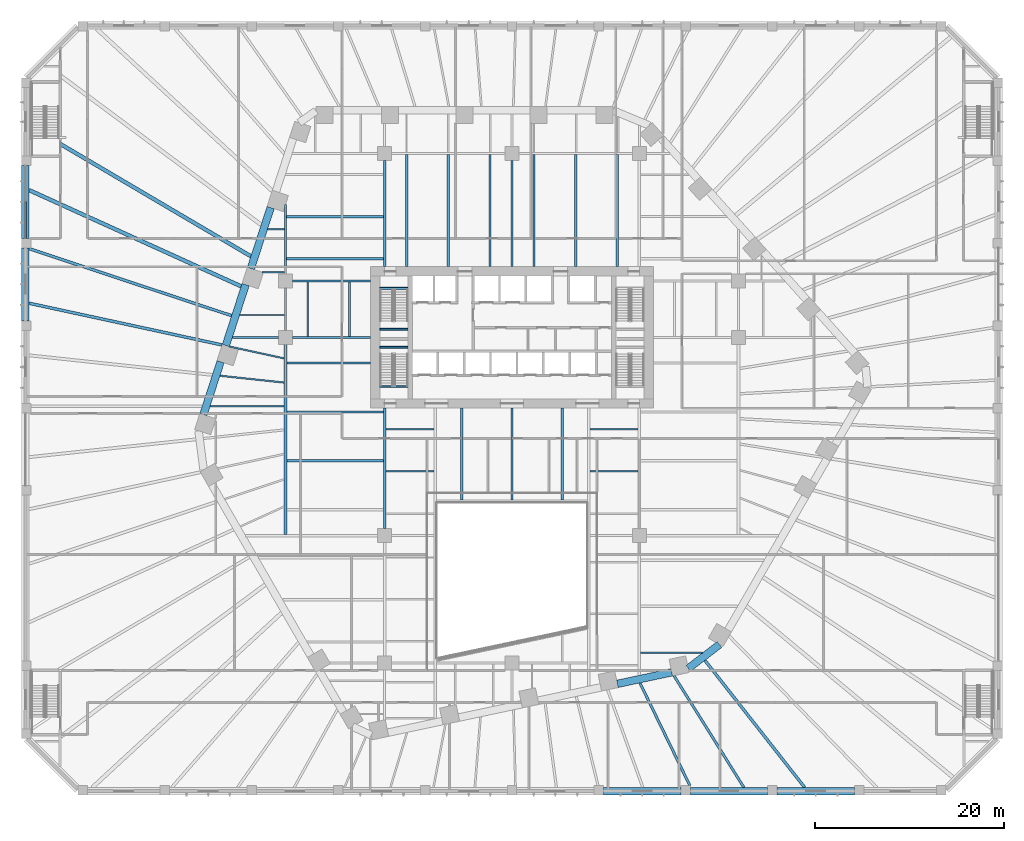
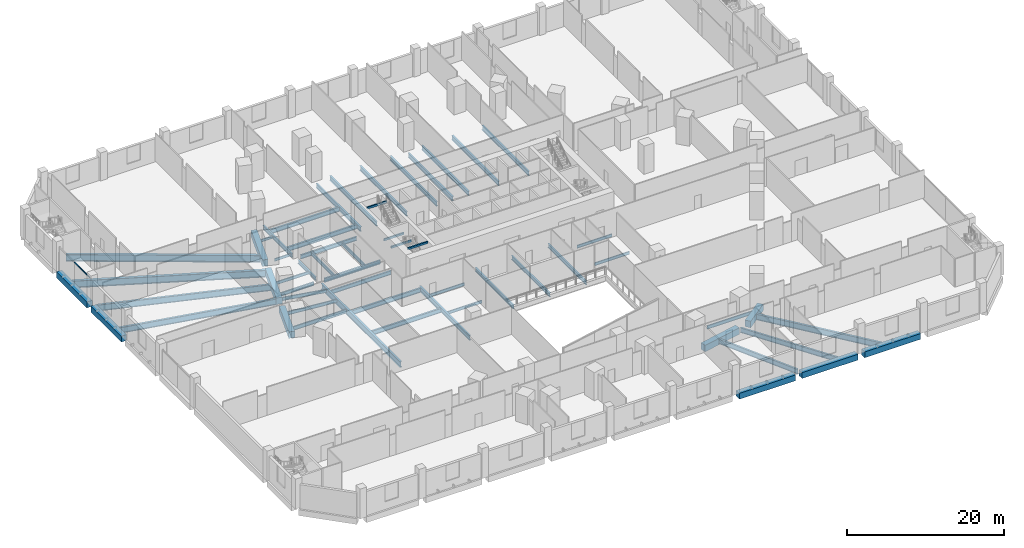
# One storey, part 6 of 33: 57 beams, 1 member, 1 element without a shape of its own.
"""IFC4 building model written with IfcOpenShell, lengths in metres."""

from ifc_helpers import new_model, si_unit, direction, frame, origin, origin_2d, place, context, subcontext, project, spatial, rectangle, i_section, extrude, material, layer, layer_set, material_profile, profile_set, type_object, element, aggregate, save


model = new_model("IFC4")

# Units and contexts
model_context = context("Model", 3, precision=1e-05, world=origin(), true_north=direction((0.0, 1.0)))
body_context = subcontext(model_context, "Body", "Model", "MODEL_VIEW")
ifc_project = project(units=[si_unit("LENGTHUNIT", "METRE"), si_unit("AREAUNIT", "SQUARE_METRE"), si_unit("VOLUMEUNIT", "CUBIC_METRE"), si_unit("PLANEANGLEUNIT", "RADIAN"), si_unit("MASSUNIT", "GRAM", prefix="KILO")], contexts=[model_context])

# Site, building, storey
site_placement = place(None, origin())
site = spatial("IfcSite", under=ifc_project, at=site_placement, CompositionType="ELEMENT")
building_placement = place(site_placement, origin())
building = spatial("IfcBuilding", under=site, at=building_placement, Name="Isthmus Gate Tower", CompositionType="ELEMENT")
storey_placement = place(building_placement, frame((0.0, 0.0, 31.5)))
storey = spatial("IfcBuildingStorey", under=building, at=storey_placement, Name="L05", CompositionType="ELEMENT", Elevation=31.5)

# Curtain wall, member
ifc_material_1 = material(Name="Aluminium, pale champagne anodised", Category="aluminium")
ifc_layer = layer(ifc_material_1, 0.14990234375)
ifc_layer_set = layer_set([ifc_layer], Name="CW-3 STOREFRONT CURTAIN WALL 150 DEEP")
curtain_wall_type = type_object("IfcCurtainWallType", Name="CW-3 STOREFRONT CURTAIN WALL 150 DEEP", PredefinedType="NOTDEFINED", material=ifc_layer_set)
curtain_wall_placement = place(storey_placement, origin())
curtain_wall = element("IfcCurtainWall", 1, at=curtain_wall_placement, inside=storey, type_object=curtain_wall_type, Name="CW-3 W L05", PredefinedType="NOTDEFINED")
ifc_material_2 = material(Name="Aluminium, pale champagne anodised", Category="aluminium")
ifc_material_profile_1 = material_profile(ifc_material_2, rectangle(XDim=0.14990234375, YDim=0.1201171875, at=origin_2d()), Name="150x120")
ifc_profile_set_1 = profile_set([ifc_material_profile_1], Name="Aluminium, pale champagne anodised")
member_type = type_object("IfcMemberType", Name="CW-3 TRANSOM 150 X 120", PredefinedType="USERDEFINED", material=ifc_profile_set_1)
member_placement = place(storey_placement, frame((-51.574951171875, 21.875, 3.389892578125), z_axis=(0.0, -1.0, 0.0), x_axis=(1.0, 0.0, 0.0)))
member = element("IfcMember", 2, at=member_placement, type_object=member_type, Name="CW-3 transom", ObjectType="TRANSOM", PredefinedType="USERDEFINED", context=body_context, shape_type="SweptSolid", body=[
    extrude(rectangle(XDim=0.14990234375, YDim=0.1201171875, at=origin_2d()), origin(), (0.0, 0.0, 1.0), 3.875),
])
aggregate(curtain_wall, [member])

# Beams
ifc_material_3 = material(Name="Concrete f'c 70 MPa", Category="concrete")
ifc_material_profile_2 = material_profile(ifc_material_3, rectangle(XDim=0.800048828125, YDim=0.89990234375, at=origin_2d()), Name="RC 800X900")
ifc_profile_set_2 = profile_set([ifc_material_profile_2], Name="Concrete f'c 70 MPa")
beam_type_1 = type_object("IfcBeamType", Name="RC EDGE BEAM 800 X 900", PredefinedType="BEAM", material=ifc_profile_set_2)
for number, where, z_axis, x_axis, name in (
    (3, (-51.60009765625, 9.25, -0.75), (0.0, 1.0, 0.0), (-1.0, 0.0, 0.0), "str-edgebeam-L05-05"),
    (4, (-51.60009765625, 18.0, -0.75), (0.0, 1.0, 0.0), (-1.0, 0.0, 0.0), "str-edgebeam-L05-06"),
):
    element("IfcBeam", number, at=place(storey_placement, frame(where, z_axis=z_axis, x_axis=x_axis)), inside=storey, type_object=beam_type_1, Name=name, PredefinedType="BEAM", context=body_context, shape_type="SweptSolid", body=[
        extrude(rectangle(XDim=0.800048828125, YDim=0.89990234375, at=origin_2d()), origin(), (0.0, 0.0, 1.0), 7.75),
    ])
beam_1_placement = place(storey_placement, frame((36.300048828125, -40.60009765625, -0.75), z_axis=(-1.0, 0.0, 0.0), x_axis=(0.0, -1.0, 0.0)))
element("IfcBeam", 5, at=beam_1_placement, inside=storey, type_object=beam_type_1, Name="str-edgebeam-L05-29", PredefinedType="BEAM", context=body_context, shape_type="SweptSolid", body=[
    extrude(rectangle(XDim=0.800048828125, YDim=0.89990234375, at=origin_2d()), origin(), (0.0, 0.0, 1.0), 8.199951171875),
])
beam_2_placement = place(storey_placement, frame((27.10009765625, -40.60009765625, -0.75), z_axis=(-1.0, 0.0, 0.0), x_axis=(0.0, -1.0, 0.0)))
element("IfcBeam", 6, at=beam_2_placement, inside=storey, type_object=beam_type_1, Name="str-edgebeam-L05-30", PredefinedType="BEAM", context=body_context, shape_type="SweptSolid", body=[
    extrude(rectangle(XDim=0.800048828125, YDim=0.89990234375, at=origin_2d()), origin(), (0.0, 0.0, 1.0), 8.2001953125),
])
beam_3_placement = place(storey_placement, frame((17.89990234375, -40.60009765625, -0.75), z_axis=(-1.0, 0.0, 0.0), x_axis=(0.0, -1.0, 0.0)))
element("IfcBeam", 7, at=beam_3_placement, inside=storey, type_object=beam_type_1, Name="str-edgebeam-L05-31", PredefinedType="BEAM", context=body_context, shape_type="SweptSolid", body=[
    extrude(rectangle(XDim=0.800048828125, YDim=0.89990234375, at=origin_2d()), origin(), (0.0, 0.0, 1.0), 8.199951171875),
])
ifc_material_4 = material(Name="Concrete f'c 70 MPa", Category="concrete")
ifc_material_profile_3 = material_profile(ifc_material_4, rectangle(XDim=0.800048828125, YDim=1.0, at=origin_2d()), Name="RC 800X1000")
ifc_profile_set_3 = profile_set([ifc_material_profile_3], Name="Concrete f'c 70 MPa")
beam_type_2 = type_object("IfcBeamType", Name="RC TUBE RING BEAM 800 X 1000", PredefinedType="BEAM", material=ifc_profile_set_3)
beam_4_placement = place(storey_placement, frame((21.98681640625, -25.051513671875, -0.800048828125), z_axis=(-0.794205941875, -0.607648682949, 0.0), x_axis=(0.607648682949, -0.794205941875, 0.0)))
element("IfcBeam", 8, at=beam_4_placement, inside=storey, type_object=beam_type_2, Name="str-ringbeam-L05-09", PredefinedType="BEAM", context=body_context, shape_type="SweptSolid", body=[
    extrude(rectangle(XDim=0.800048828125, YDim=1.0, at=origin_2d()), origin(), (0.0, 0.0, 1.0), 4.15234375),
])
for number, where, z_axis, x_axis, name in (
    (9, (16.937255859375, -27.990966796875, -0.800048828125), (-0.97815168619, -0.207892469327, 0.0), (0.207892469327, -0.97815168619, 0.0), "str-ringbeam-L05-10"),
    (10, (-32.70947265625, -0.672607421875, -0.800048828125), (0.309005457803, 0.951060264677, 0.0), (-0.951060264677, 0.309005457803, 0.0), "str-ringbeam-L05-18"),
):
    element("IfcBeam", number, at=place(storey_placement, frame(where, z_axis=z_axis, x_axis=x_axis)), inside=storey, type_object=beam_type_2, Name=name, PredefinedType="BEAM", context=body_context, shape_type="SweptSolid", body=[
        extrude(rectangle(XDim=0.800048828125, YDim=1.0, at=origin_2d()), origin(), (0.0, 0.0, 1.0), 5.889404296875),
    ])
for number, where, z_axis, x_axis, name in (
    (11, (-30.333251953125, 6.640380859375, -0.800048828125), (0.30900150794, 0.951061548004, 0.0), (-0.951061548004, 0.30900150794, 0.0), "str-ringbeam-L05-19"),
    (12, (-27.67919921875, 14.809326171875, -0.800048828125), (0.309034033576, 0.951050979754, 0.0), (-0.951050979754, 0.309034033576, 0.0), "str-ringbeam-L05-20"),
):
    element("IfcBeam", number, at=place(storey_placement, frame(where, z_axis=z_axis, x_axis=x_axis)), inside=storey, type_object=beam_type_2, Name=name, PredefinedType="BEAM", context=body_context, shape_type="SweptSolid", body=[
        extrude(rectangle(XDim=0.800048828125, YDim=1.0, at=origin_2d()), origin(), (0.0, 0.0, 1.0), 6.789306640625),
    ])
ifc_material_5 = material(Name="Concrete f'c 40 MPa", Category="concrete")
ifc_material_profile_4 = material_profile(ifc_material_5, rectangle(XDim=0.199951171875, YDim=0.300048828125, at=origin_2d()), Name="STAIR LANDING BEAM RC 200 X 300")
ifc_profile_set_4 = profile_set([ifc_material_profile_4], Name="Concrete f'c 40 MPa")
beam_type_3 = type_object("IfcBeamType", Name="STAIR LANDING BEAM RC 200 X 300", PredefinedType="BEAM", material=ifc_profile_set_4)
for number, where, z_axis, x_axis, name in (
    (13, (-14.0, 8.3701171875, 1.89990234375), (1.0, 0.0, 0.0), (0.0, 1.0, 0.0), "L05 ST1 landing beam 1"),
    (14, (-14.0, 12.7001953125, 4.199951171875), (1.0, 0.0, 0.0), (0.0, 1.0, 0.0), "L05 ST1 floor-edge seat beam"),
    (15, (-14.0, 6.47998046875, 1.89990234375), (1.0, 0.0, 0.0), (0.0, 1.0, 0.0), "L05 ST7 landing beam 1"),
    (16, (-14.0, 2.2998046875, 4.199951171875), (1.0, 0.0, 0.0), (0.0, 1.0, 0.0), "L05 ST7 floor-edge seat beam"),
):
    element("IfcBeam", number, at=place(storey_placement, frame(where, z_axis=z_axis, x_axis=x_axis)), inside=storey, type_object=beam_type_3, Name=name, PredefinedType="BEAM", context=body_context, shape_type="SweptSolid", body=[
        extrude(rectangle(XDim=0.199951171875, YDim=0.300048828125, at=origin_2d()), origin(), (0.0, 0.0, 1.0), 2.949951171875),
    ])
ifc_material_6 = material(Name="Structural steel ASTM A992 Gr 50", Category="steel")
ifc_material_profile_5 = material_profile(ifc_material_6, i_section(OverallWidth=0.1396484375, OverallDepth=0.4033203125, WebThickness=0.00634765625, FlangeThickness=0.010986328125, at=origin_2d()), Name="W16X31")
ifc_profile_set_5 = profile_set([ifc_material_profile_5], Name="Structural steel ASTM A992 Gr 50")
beam_type_4 = type_object("IfcBeamType", Name="STEEL FLOOR BEAM W16X31", PredefinedType="JOIST", material=ifc_profile_set_5)
beam_5_placement = place(storey_placement, frame((-26.503662109375, 14.427490234375, -0.501708984375), z_axis=(1.0, 0.0, 0.0), x_axis=(0.0, 1.0, 0.0)))
element("IfcBeam", 17, at=beam_5_placement, inside=storey, type_object=beam_type_4, Name="str-beam-L05-05-01", PredefinedType="JOIST", context=body_context, shape_type="SweptSolid", body=[
    extrude(i_section(OverallWidth=0.1396484375, OverallDepth=0.4033203125, WebThickness=0.00634765625, FlangeThickness=0.010986328125, at=origin_2d()), origin(), (0.0, 0.0, 1.0), 2.389404296875),
])
beam_6_placement = place(storey_placement, frame((-25.90478515625, 18.975830078125, -0.501708984375), z_axis=(1.0, 0.0, 0.0), x_axis=(0.0, 1.0, 0.0)))
element("IfcBeam", 18, at=beam_6_placement, inside=storey, type_object=beam_type_4, Name="str-beam-L05-05-02", PredefinedType="JOIST", context=body_context, shape_type="SweptSolid", body=[
    extrude(i_section(OverallWidth=0.1396484375, OverallDepth=0.4033203125, WebThickness=0.00634765625, FlangeThickness=0.010986328125, at=origin_2d()), origin(), (0.0, 0.0, 1.0), 1.79052734375),
])
ifc_material_7 = material(Name="Structural steel ASTM A992 Gr 50", Category="steel")
ifc_material_profile_6 = material_profile(ifc_material_7, i_section(OverallWidth=0.15234375, OverallDepth=0.45068359375, WebThickness=0.0078125, FlangeThickness=0.010986328125, at=origin_2d()), Name="W18X35")
ifc_profile_set_6 = profile_set([ifc_material_profile_6], Name="Structural steel ASTM A992 Gr 50")
beam_type_5 = type_object("IfcBeamType", Name="STEEL FLOOR BEAM W18X35", PredefinedType="JOIST", material=ifc_profile_set_6)
beam_7_placement = place(storey_placement, frame((-28.860595703125, 9.87890625, -0.525390625), z_axis=(1.0, 0.0, 0.0), x_axis=(0.0, 1.0, 0.0)))
element("IfcBeam", 19, at=beam_7_placement, inside=storey, type_object=beam_type_5, Name="str-beam-L05-05-00", PredefinedType="JOIST", context=body_context, shape_type="SweptSolid", body=[
    extrude(i_section(OverallWidth=0.15234375, OverallDepth=0.45068359375, WebThickness=0.0078125, FlangeThickness=0.010986328125, at=origin_2d()), origin(), (0.0, 0.0, 1.0), 4.755859375),
])
for number, where, z_axis, x_axis, name in (
    (20, (-13.3681640625, -6.697509765625, -0.525390625), (1.0, 0.0, 0.0), (0.0, 1.0, 0.0), "str-beam-L05-13-01"),
    (21, (-13.3681640625, -2.232421875, -0.525390625), (1.0, 0.0, 0.0), (0.0, 1.0, 0.0), "str-beam-L05-13-02"),
):
    element("IfcBeam", number, at=place(storey_placement, frame(where, z_axis=z_axis, x_axis=x_axis)), inside=storey, type_object=beam_type_5, Name=name, PredefinedType="JOIST", context=body_context, shape_type="SweptSolid", body=[
        extrude(i_section(OverallWidth=0.15234375, OverallDepth=0.45068359375, WebThickness=0.0078125, FlangeThickness=0.010986328125, at=origin_2d()), origin(), (0.0, 0.0, 1.0), 5.076171875),
    ])
for number, where, z_axis, x_axis, name in (
    (22, (8.263427734375, -6.697509765625, -0.525390625), (1.0, 0.0, 0.0), (0.0, 1.0, 0.0), "str-beam-L05-26-01"),
    (23, (8.263427734375, -2.232421875, -0.525390625), (1.0, 0.0, 0.0), (0.0, 1.0, 0.0), "str-beam-L05-26-02"),
):
    element("IfcBeam", number, at=place(storey_placement, frame(where, z_axis=z_axis, x_axis=x_axis)), inside=storey, type_object=beam_type_5, Name=name, PredefinedType="JOIST", context=body_context, shape_type="SweptSolid", body=[
        extrude(i_section(OverallWidth=0.15234375, OverallDepth=0.45068359375, WebThickness=0.0078125, FlangeThickness=0.010986328125, at=origin_2d()), origin(), (0.0, 0.0, 1.0), 5.104736328125),
    ])
ifc_material_8 = material(Name="Structural steel ASTM A992 Gr 50", Category="steel")
ifc_material_profile_7 = material_profile(ifc_material_8, i_section(OverallWidth=0.1650390625, OverallDepth=0.52392578125, WebThickness=0.009521484375, FlangeThickness=0.010986328125, at=origin_2d()), Name="W21X44")
ifc_profile_set_7 = profile_set([ifc_material_profile_7], Name="Structural steel ASTM A992 Gr 50")
beam_type_6 = type_object("IfcBeamType", Name="STEEL FLOOR BEAM W21X44", PredefinedType="JOIST", material=ifc_profile_set_7)
for number, where, z_axis, x_axis, name in (
    (24, (-21.67138671875, 7.6142578125, -0.56201171875), (0.0, 1.0, 0.0), (-1.0, 0.0, 0.0), "str-beam-L05-06-00"),
    (25, (-17.223876953125, 7.6142578125, -0.56201171875), (0.0, 1.0, 0.0), (-1.0, 0.0, 0.0), "str-beam-L05-06-01"),
):
    element("IfcBeam", number, at=place(storey_placement, frame(where, z_axis=z_axis, x_axis=x_axis)), inside=storey, type_object=beam_type_6, Name=name, PredefinedType="JOIST", context=body_context, shape_type="SweptSolid", body=[
        extrude(i_section(OverallWidth=0.1650390625, OverallDepth=0.52392578125, WebThickness=0.009521484375, FlangeThickness=0.010986328125, at=origin_2d()), origin(), (0.0, 0.0, 1.0), 5.771484375),
    ])
beam_8_placement = place(storey_placement, frame((-24.15234375, 5.281982421875, -0.56201171875), z_axis=(-0.977404738784, 0.211376386104, 0.0), x_axis=(-0.211376386104, -0.977404738784, 0.0)))
element("IfcBeam", 26, at=beam_8_placement, inside=storey, type_object=beam_type_6, Name="str-beam-L05-19-29", PredefinedType="JOIST", context=body_context, shape_type="SweptSolid", body=[
    extrude(i_section(OverallWidth=0.1650390625, OverallDepth=0.52392578125, WebThickness=0.009521484375, FlangeThickness=0.010986328125, at=origin_2d()), origin(), (0.0, 0.0, 1.0), 5.9287109375),
])
beam_9_placement = place(storey_placement, frame((-24.15234375, 2.717041015625, -0.56201171875), z_axis=(-0.994334923862, 0.106292328929, 0.0), x_axis=(-0.106292328929, -0.994334923862, 0.0)))
element("IfcBeam", 27, at=beam_9_placement, inside=storey, type_object=beam_type_6, Name="str-beam-L05-19-31", PredefinedType="JOIST", context=body_context, shape_type="SweptSolid", body=[
    extrude(i_section(OverallWidth=0.1650390625, OverallDepth=0.52392578125, WebThickness=0.009521484375, FlangeThickness=0.010986328125, at=origin_2d()), origin(), (0.0, 0.0, 1.0), 6.837890625),
])
beam_10_placement = place(storey_placement, frame((13.63330078125, -25.924072265625, -0.56201171875), z_axis=(1.0, 0.0, 0.0), x_axis=(0.0, 1.0, 0.0)))
element("IfcBeam", 28, at=beam_10_placement, inside=storey, type_object=beam_type_6, Name="str-beam-L05-31-00", PredefinedType="JOIST", context=body_context, shape_type="SweptSolid", body=[
    extrude(i_section(OverallWidth=0.1650390625, OverallDepth=0.52392578125, WebThickness=0.009521484375, FlangeThickness=0.010986328125, at=origin_2d()), origin(), (0.0, 0.0, 1.0), 6.5546875),
])
ifc_material_9 = material(Name="Structural steel ASTM A992 Gr 50", Category="steel")
ifc_material_profile_8 = material_profile(ifc_material_9, i_section(OverallWidth=0.177734375, OverallDepth=0.60009765625, WebThickness=0.009521484375, FlangeThickness=0.0126953125, at=origin_2d()), Name="W24X55")
ifc_profile_set_8 = profile_set([ifc_material_profile_8], Name="Structural steel ASTM A992 Gr 50")
beam_type_7 = type_object("IfcBeamType", Name="STEEL FLOOR BEAM W24X55", PredefinedType="JOIST", material=ifc_profile_set_8)
beam_11_placement = place(storey_placement, frame((-24.15234375, 0.210205078125, -0.60009765625), z_axis=(-1.0, 0.0, 0.0), x_axis=(0.0, -1.0, 0.0)))
element("IfcBeam", 29, at=beam_11_placement, inside=storey, type_object=beam_type_7, Name="str-beam-L05-19-33", PredefinedType="JOIST", context=body_context, shape_type="SweptSolid", body=[
    extrude(i_section(OverallWidth=0.177734375, OverallDepth=0.60009765625, WebThickness=0.009521484375, FlangeThickness=0.0126953125, at=origin_2d()), origin(), (0.0, 0.0, 1.0), 7.849609375),
])
ifc_material_10 = material(Name="Structural steel ASTM A992 Gr 50", Category="steel")
ifc_material_profile_9 = material_profile(ifc_material_10, i_section(OverallWidth=0.228515625, OverallDepth=0.603271484375, WebThickness=0.010986328125, FlangeThickness=0.014404296875, at=origin_2d()), Name="W24X68")
ifc_profile_set_9 = profile_set([ifc_material_profile_9], Name="Structural steel ASTM A992 Gr 50")
beam_type_8 = type_object("IfcBeamType", Name="STEEL FLOOR BEAM W24X68", PredefinedType="JOIST", material=ifc_profile_set_9)
beam_12_placement = place(storey_placement, frame((-23.84765625, 4.791748046875, -0.6015625), z_axis=(1.0, 0.0, 0.0), x_axis=(0.0, 1.0, 0.0)))
element("IfcBeam", 30, at=beam_12_placement, inside=storey, type_object=beam_type_8, Name="str-beam-L05-08-03", PredefinedType="JOIST", context=body_context, shape_type="SweptSolid", body=[
    extrude(i_section(OverallWidth=0.228515625, OverallDepth=0.603271484375, WebThickness=0.010986328125, FlangeThickness=0.014404296875, at=origin_2d()), origin(), (0.0, 0.0, 1.0), 8.84765625),
])
for number, where, z_axis, x_axis, name in (
    (31, (-5.333251953125, -9.7080078125, -0.6015625), (0.0, 1.0, 0.0), (-1.0, 0.0, 0.0), "str-beam-L05-18-00"),
    (32, (0.0, -9.7080078125, -0.6015625), (0.0, 1.0, 0.0), (-1.0, 0.0, 0.0), "str-beam-L05-18-01"),
    (33, (5.333251953125, -9.7080078125, -0.6015625), (0.0, 1.0, 0.0), (-1.0, 0.0, 0.0), "str-beam-L05-18-02"),
):
    element("IfcBeam", number, at=place(storey_placement, frame(where, z_axis=z_axis, x_axis=x_axis)), inside=storey, type_object=beam_type_8, Name=name, PredefinedType="JOIST", context=body_context, shape_type="SweptSolid", body=[
        extrude(i_section(OverallWidth=0.228515625, OverallDepth=0.603271484375, WebThickness=0.010986328125, FlangeThickness=0.014404296875, at=origin_2d()), origin(), (0.0, 0.0, 1.0), 9.7080078125),
    ])
ifc_material_11 = material(Name="Structural steel ASTM A992 Gr 50", Category="steel")
ifc_material_profile_10 = material_profile(ifc_material_11, i_section(OverallWidth=0.25390625, OverallDepth=0.679443359375, WebThickness=0.010986328125, FlangeThickness=0.015869140625, at=origin_2d()), Name="W27X84")
ifc_profile_set_10 = profile_set([ifc_material_profile_10], Name="Structural steel ASTM A992 Gr 50")
beam_type_9 = type_object("IfcBeamType", Name="STEEL FLOOR BEAM W27X84", PredefinedType="JOIST", material=ifc_profile_set_10)
for number, where, z_axis, x_axis, name in (
    (34, (-23.84765625, -5.58447265625, -0.6396484375), (1.0, 0.0, 0.0), (0.0, 1.0, 0.0), "str-beam-L05-08-01"),
    (35, (-23.84765625, -0.396484375, -0.6396484375), (1.0, 0.0, 0.0), (0.0, 1.0, 0.0), "str-beam-L05-08-02"),
):
    element("IfcBeam", number, at=place(storey_placement, frame(where, z_axis=z_axis, x_axis=x_axis)), inside=storey, type_object=beam_type_9, Name=name, PredefinedType="JOIST", context=body_context, shape_type="SweptSolid", body=[
        extrude(i_section(OverallWidth=0.25390625, OverallDepth=0.679443359375, WebThickness=0.010986328125, FlangeThickness=0.015869140625, at=origin_2d()), origin(), (0.0, 0.0, 1.0), 10.2158203125),
    ])
for number, where, z_axis, x_axis, name in (
    (36, (-23.8857421875, 15.84521484375, -0.6396484375), (1.0, 0.0, 0.0), (0.0, 1.0, 0.0), "str-beam-L05-09-00"),
    (37, (-23.8857421875, 20.30712890625, -0.6396484375), (1.0, 0.0, 0.0), (0.0, 1.0, 0.0), "str-beam-L05-09-01"),
):
    element("IfcBeam", number, at=place(storey_placement, frame(where, z_axis=z_axis, x_axis=x_axis)), inside=storey, type_object=beam_type_9, Name=name, PredefinedType="JOIST", context=body_context, shape_type="SweptSolid", body=[
        extrude(i_section(OverallWidth=0.25390625, OverallDepth=0.679443359375, WebThickness=0.010986328125, FlangeThickness=0.015869140625, at=origin_2d()), origin(), (0.0, 0.0, 1.0), 10.2587890625),
    ])
for number, where, z_axis, x_axis, name in (
    (38, (-11.165283203125, 15.0, -0.6396484375), (0.0, 1.0, 0.0), (-1.0, 0.0, 0.0), "str-beam-L05-15-00"),
    (39, (-6.75, 15.0, -0.6396484375), (0.0, 1.0, 0.0), (-1.0, 0.0, 0.0), "str-beam-L05-15-01"),
    (40, (-2.334716796875, 15.0, -0.6396484375), (0.0, 1.0, 0.0), (-1.0, 0.0, 0.0), "str-beam-L05-15-02"),
    (41, (2.334716796875, 15.0, -0.6396484375), (0.0, 1.0, 0.0), (-1.0, 0.0, 0.0), "str-beam-L05-23-00"),
    (42, (6.75, 15.0, -0.6396484375), (0.0, 1.0, 0.0), (-1.0, 0.0, 0.0), "str-beam-L05-23-01"),
    (43, (11.165283203125, 15.0, -0.6396484375), (0.0, 1.0, 0.0), (-1.0, 0.0, 0.0), "str-beam-L05-23-02"),
):
    element("IfcBeam", number, at=place(storey_placement, frame(where, z_axis=z_axis, x_axis=x_axis)), inside=storey, type_object=beam_type_9, Name=name, PredefinedType="JOIST", context=body_context, shape_type="SweptSolid", body=[
        extrude(i_section(OverallWidth=0.25390625, OverallDepth=0.679443359375, WebThickness=0.010986328125, FlangeThickness=0.015869140625, at=origin_2d()), origin(), (0.0, 0.0, 1.0), 11.873046875),
    ])
ifc_material_12 = material(Name="Structural steel ASTM A992 Gr 50", Category="steel")
ifc_material_profile_11 = material_profile(ifc_material_12, i_section(OverallWidth=0.263427734375, OverallDepth=0.749267578125, WebThickness=0.0126953125, FlangeThickness=0.015869140625, at=origin_2d()), Name="W30X90")
ifc_profile_set_11 = profile_set([ifc_material_profile_11], Name="Structural steel ASTM A992 Gr 50")
beam_type_10 = type_object("IfcBeamType", Name="STEEL FLOOR BEAM W30X90", PredefinedType="JOIST", material=ifc_profile_set_11)
beam_13_placement = place(storey_placement, frame((13.5595703125, -29.117919921875, -0.674560546875), z_axis=(0.437299915839, -0.899315730768, 0.0), x_axis=(0.899315730768, 0.437299915839, 0.0)))
element("IfcBeam", 44, at=beam_13_placement, inside=storey, type_object=beam_type_10, Name="str-beam-L05-19-57", PredefinedType="JOIST", context=body_context, shape_type="SweptSolid", body=[
    extrude(i_section(OverallWidth=0.263427734375, OverallDepth=0.749267578125, WebThickness=0.0126953125, FlangeThickness=0.015869140625, at=origin_2d()), origin(), (0.0, 0.0, 1.0), 12.100341796875),
])
beam_14_placement = place(storey_placement, frame((17.16845703125, -28.350830078125, -0.674560546875), z_axis=(0.530429063145, -0.847729325299, 0.0), x_axis=(0.847729325299, 0.530429063145, 0.0)))
element("IfcBeam", 45, at=beam_14_placement, inside=storey, type_object=beam_type_10, Name="str-beam-L05-19-58", PredefinedType="JOIST", context=body_context, shape_type="SweptSolid", body=[
    extrude(i_section(OverallWidth=0.263427734375, OverallDepth=0.749267578125, WebThickness=0.0126953125, FlangeThickness=0.015869140625, at=origin_2d()), origin(), (0.0, 0.0, 1.0), 13.9775390625),
])
ifc_material_13 = material(Name="Structural steel ASTM A992 Gr 50", Category="steel")
ifc_material_profile_12 = material_profile(ifc_material_13, i_section(OverallWidth=0.3046875, OverallDepth=0.901611328125, WebThickness=0.015869140625, FlangeThickness=0.0205078125, at=origin_2d()), Name="W36X135")
ifc_profile_set_12 = profile_set([ifc_material_profile_12], Name="Structural steel ASTM A992 Gr 50")
beam_type_11 = type_object("IfcBeamType", Name="STEEL FLOOR BEAM W36X135", PredefinedType="JOIST", material=ifc_profile_set_12)
beam_15_placement = place(storey_placement, frame((20.449951171875, -26.73095703125, -0.750732421875), z_axis=(0.617521161638, -0.786554266996, 0.0), x_axis=(0.786554266996, 0.617521161638, 0.0)))
element("IfcBeam", 46, at=beam_15_placement, inside=storey, type_object=beam_type_11, Name="str-beam-L05-19-59", PredefinedType="JOIST", context=body_context, shape_type="SweptSolid", body=[
    extrude(i_section(OverallWidth=0.3046875, OverallDepth=0.901611328125, WebThickness=0.015869140625, FlangeThickness=0.0205078125, at=origin_2d()), origin(), (0.0, 0.0, 1.0), 17.1240234375),
])
ifc_material_14 = material(Name="Structural steel ASTM A992 Gr 50", Category="steel")
ifc_material_profile_13 = material_profile(ifc_material_14, i_section(OverallWidth=0.3046875, OverallDepth=0.914306640625, WebThickness=0.015869140625, FlangeThickness=0.025390625, at=origin_2d()), Name="W36X160")
ifc_profile_set_13 = profile_set([ifc_material_profile_13], Name="Structural steel ASTM A992 Gr 50")
beam_type_12 = type_object("IfcBeamType", Name="STEEL FLOOR BEAM W36X160", PredefinedType="JOIST", material=ifc_profile_set_13)
beam_16_placement = place(storey_placement, frame((-30.73291015625, 6.705078125, -0.757080078125), z_axis=(-0.977404661554, 0.211376743215, 0.0), x_axis=(-0.211376743215, -0.977404661554, 0.0)))
element("IfcBeam", 47, at=beam_16_placement, inside=storey, type_object=beam_type_12, Name="str-beam-L05-19-30", PredefinedType="JOIST", context=body_context, shape_type="SweptSolid", body=[
    extrude(i_section(OverallWidth=0.3046875, OverallDepth=0.914306640625, WebThickness=0.015869140625, FlangeThickness=0.025390625, at=origin_2d()), origin(), (0.0, 0.0, 1.0), 20.940185546875),
])
ifc_material_15 = material(Name="Structural steel ASTM A992 Gr 50", Category="steel")
ifc_material_profile_14 = material_profile(ifc_material_15, i_section(OverallWidth=0.29833984375, OverallDepth=0.981201171875, WebThickness=0.015869140625, FlangeThickness=0.025390625, at=origin_2d()), Name="W40X167")
ifc_profile_set_14 = profile_set([ifc_material_profile_14], Name="Structural steel ASTM A992 Gr 50")
beam_type_13 = type_object("IfcBeamType", Name="STEEL FLOOR BEAM W40X167", PredefinedType="JOIST", material=ifc_profile_set_14)
beam_17_placement = place(storey_placement, frame((-29.7236328125, 9.81103515625, -0.79052734375), z_axis=(-0.949397494311, 0.3140770571, 0.0), x_axis=(-0.3140770571, -0.949397494311, 0.0)))
element("IfcBeam", 48, at=beam_17_placement, inside=storey, type_object=beam_type_13, Name="str-beam-L05-19-28", PredefinedType="JOIST", context=body_context, shape_type="SweptSolid", body=[
    extrude(i_section(OverallWidth=0.29833984375, OverallDepth=0.981201171875, WebThickness=0.015869140625, FlangeThickness=0.025390625, at=origin_2d()), origin(), (0.0, 0.0, 1.0), 22.62109375),
])
ifc_material_16 = material(Name="Structural steel ASTM A992 Gr 50", Category="steel")
ifc_material_profile_15 = material_profile(ifc_material_16, i_section(OverallWidth=0.39990234375, OverallDepth=1.089111328125, WebThickness=0.017578125, FlangeThickness=0.03173828125, at=origin_2d()), Name="W44X230")
ifc_profile_set_15 = profile_set([ifc_material_profile_15], Name="Structural steel ASTM A992 Gr 50")
beam_type_14 = type_object("IfcBeamType", Name="STEEL FLOOR BEAM W44X230", PredefinedType="JOIST", material=ifc_profile_set_15)
beam_18_placement = place(storey_placement, frame((-27.678466796875, 16.10595703125, -0.844482421875), z_axis=(-0.861553706285, 0.507666436932, 0.0), x_axis=(-0.507666436932, -0.861553706285, 0.0)))
element("IfcBeam", 49, at=beam_18_placement, inside=storey, type_object=beam_type_14, Name="str-beam-L05-19-26", PredefinedType="JOIST", context=body_context, shape_type="SweptSolid", body=[
    extrude(i_section(OverallWidth=0.39990234375, OverallDepth=1.089111328125, WebThickness=0.017578125, FlangeThickness=0.03173828125, at=origin_2d()), origin(), (0.0, 0.0, 1.0), 24.64111328125),
])
beam_19_placement = place(storey_placement, frame((-28.71337890625, 12.9208984375, -0.844482421875), z_axis=(-0.910634113772, 0.41321363825, 0.0), x_axis=(-0.41321363825, -0.910634113772, 0.0)))
element("IfcBeam", 50, at=beam_19_placement, inside=storey, type_object=beam_type_14, Name="str-beam-L05-19-27", PredefinedType="JOIST", context=body_context, shape_type="SweptSolid", body=[
    extrude(i_section(OverallWidth=0.39990234375, OverallDepth=1.089111328125, WebThickness=0.017578125, FlangeThickness=0.03173828125, at=origin_2d()), origin(), (0.0, 0.0, 1.0), 24.693359375),
])
ifc_material_17 = material(Name="Structural steel ASTM A992 Gr 50", Category="steel")
ifc_material_profile_16 = material_profile(ifc_material_17, i_section(OverallWidth=0.20947265625, OverallDepth=0.533447265625, WebThickness=0.009521484375, FlangeThickness=0.015869140625, at=origin_2d()), Name="W21X62")
ifc_profile_set_16 = profile_set([ifc_material_profile_16], Name="Structural steel ASTM A992 Gr 50")
beam_type_15 = type_object("IfcBeamType", Name="STEEL GIRDER W21X62", PredefinedType="BEAM", material=ifc_profile_set_16)
beam_20_placement = place(storey_placement, frame((-29.633544921875, 7.5, -0.566650390625), z_axis=(1.0, 0.0, 0.0), x_axis=(0.0, 1.0, 0.0)))
element("IfcBeam", 51, at=beam_20_placement, inside=storey, type_object=beam_type_15, Name="str-girder-L05-09", PredefinedType="BEAM", context=body_context, shape_type="SweptSolid", body=[
    extrude(i_section(OverallWidth=0.20947265625, OverallDepth=0.533447265625, WebThickness=0.009521484375, FlangeThickness=0.015869140625, at=origin_2d()), origin(), (0.0, 0.0, 1.0), 4.883544921875),
])
beam_21_placement = place(storey_placement, frame((-24.0, 8.25, -0.566650390625), z_axis=(0.0, 1.0, 0.0), x_axis=(-1.0, 0.0, 0.0)))
element("IfcBeam", 52, at=beam_21_placement, inside=storey, type_object=beam_type_15, Name="str-girder-L05-21", PredefinedType="BEAM", context=body_context, shape_type="SweptSolid", body=[
    extrude(i_section(OverallWidth=0.20947265625, OverallDepth=0.533447265625, WebThickness=0.009521484375, FlangeThickness=0.015869140625, at=origin_2d()), origin(), (0.0, 0.0, 1.0), 4.5),
])
ifc_material_18 = material(Name="Structural steel ASTM A992 Gr 50", Category="steel")
ifc_material_profile_17 = material_profile(ifc_material_18, i_section(OverallWidth=0.228515625, OverallDepth=0.603271484375, WebThickness=0.010986328125, FlangeThickness=0.014404296875, at=origin_2d()), Name="W24X68")
ifc_profile_set_17 = profile_set([ifc_material_profile_17], Name="Structural steel ASTM A992 Gr 50")
beam_type_16 = type_object("IfcBeamType", Name="STEEL GIRDER W24X68", PredefinedType="BEAM", material=ifc_profile_set_17)
beam_22_placement = place(storey_placement, frame((-24.0, 14.25, -0.6015625), z_axis=(0.0, 1.0, 0.0), x_axis=(-1.0, 0.0, 0.0)))
element("IfcBeam", 53, at=beam_22_placement, inside=storey, type_object=beam_type_16, Name="str-girder-L05-22", PredefinedType="BEAM", context=body_context, shape_type="SweptSolid", body=[
    extrude(i_section(OverallWidth=0.228515625, OverallDepth=0.603271484375, WebThickness=0.010986328125, FlangeThickness=0.014404296875, at=origin_2d()), origin(), (0.0, 0.0, 1.0), 7.35205078125),
])
ifc_material_19 = material(Name="Structural steel ASTM A992 Gr 50", Category="steel")
ifc_material_profile_18 = material_profile(ifc_material_19, i_section(OverallWidth=0.228515625, OverallDepth=0.6064453125, WebThickness=0.010986328125, FlangeThickness=0.017578125, at=origin_2d()), Name="W24X76")
ifc_profile_set_18 = profile_set([ifc_material_profile_18], Name="Structural steel ASTM A992 Gr 50")
beam_type_17 = type_object("IfcBeamType", Name="STEEL GIRDER W24X76", PredefinedType="BEAM", material=ifc_profile_set_18)
for number, where, z_axis, x_axis, name in (
    (54, (-23.25, 7.5, -0.603271484375), (1.0, 0.0, 0.0), (0.0, 1.0, 0.0), "str-girder-L05-10"),
    (55, (-23.25, 13.5, -0.603271484375), (1.0, 0.0, 0.0), (0.0, 1.0, 0.0), "str-girder-L05-13"),
):
    element("IfcBeam", number, at=place(storey_placement, frame(where, z_axis=z_axis, x_axis=x_axis)), inside=storey, type_object=beam_type_17, Name=name, PredefinedType="BEAM", context=body_context, shape_type="SweptSolid", body=[
        extrude(i_section(OverallWidth=0.228515625, OverallDepth=0.6064453125, WebThickness=0.010986328125, FlangeThickness=0.017578125, at=origin_2d()), origin(), (0.0, 0.0, 1.0), 8.25),
    ])
ifc_material_20 = material(Name="Structural steel ASTM A992 Gr 50", Category="steel")
ifc_material_profile_19 = material_profile(ifc_material_20, i_section(OverallWidth=0.25390625, OverallDepth=0.679443359375, WebThickness=0.010986328125, FlangeThickness=0.015869140625, at=origin_2d()), Name="W27X84")
ifc_profile_set_19 = profile_set([ifc_material_profile_19], Name="Structural steel ASTM A992 Gr 50")
beam_type_18 = type_object("IfcBeamType", Name="STEEL GIRDER W27X84", PredefinedType="BEAM", material=ifc_profile_set_19)
for number, where, z_axis, x_axis, name in (
    (56, (-13.5, 15.0, -0.6396484375), (0.0, 1.0, 0.0), (-1.0, 0.0, 0.0), "str-girder-L05-26"),
    (57, (0.0, 15.0, -0.6396484375), (0.0, 1.0, 0.0), (-1.0, 0.0, 0.0), "str-girder-L05-29"),
):
    element("IfcBeam", number, at=place(storey_placement, frame(where, z_axis=z_axis, x_axis=x_axis)), inside=storey, type_object=beam_type_18, Name=name, PredefinedType="BEAM", context=body_context, shape_type="SweptSolid", body=[
        extrude(i_section(OverallWidth=0.25390625, OverallDepth=0.679443359375, WebThickness=0.010986328125, FlangeThickness=0.015869140625, at=origin_2d()), origin(), (0.0, 0.0, 1.0), 11.25),
    ])
ifc_material_21 = material(Name="Structural steel ASTM A992 Gr 50", Category="steel")
ifc_material_profile_20 = material_profile(ifc_material_21, i_section(OverallWidth=0.263427734375, OverallDepth=0.749267578125, WebThickness=0.0126953125, FlangeThickness=0.015869140625, at=origin_2d()), Name="W30X90")
ifc_profile_set_20 = profile_set([ifc_material_profile_20], Name="Structural steel ASTM A992 Gr 50")
beam_type_19 = type_object("IfcBeamType", Name="STEEL GIRDER W30X90", PredefinedType="BEAM", material=ifc_profile_set_20)
beam_23_placement = place(storey_placement, frame((-13.5, -12.75, -0.674560546875), z_axis=(0.0, 1.0, 0.0), x_axis=(-1.0, 0.0, 0.0)))
element("IfcBeam", 58, at=beam_23_placement, inside=storey, type_object=beam_type_19, Name="str-girder-L05-25", PredefinedType="BEAM", context=body_context, shape_type="SweptSolid", body=[
    extrude(i_section(OverallWidth=0.263427734375, OverallDepth=0.749267578125, WebThickness=0.0126953125, FlangeThickness=0.015869140625, at=origin_2d()), origin(), (0.0, 0.0, 1.0), 12.75),
])
ifc_material_22 = material(Name="Structural steel ASTM A992 Gr 50", Category="steel")
ifc_material_profile_21 = material_profile(ifc_material_22, i_section(OverallWidth=0.3046875, OverallDepth=0.914306640625, WebThickness=0.015869140625, FlangeThickness=0.025390625, at=origin_2d()), Name="W36X160")
ifc_profile_set_21 = profile_set([ifc_material_profile_21], Name="Structural steel ASTM A992 Gr 50")
beam_type_20 = type_object("IfcBeamType", Name="STEEL GIRDER W36X160", PredefinedType="BEAM", material=ifc_profile_set_21)
beam_24_placement = place(storey_placement, frame((-24.0, -13.36669921875, -0.757080078125), z_axis=(0.0, 1.0, 0.0), x_axis=(-1.0, 0.0, 0.0)))
element("IfcBeam", 59, at=beam_24_placement, inside=storey, type_object=beam_type_20, Name="str-girder-L05-20", PredefinedType="BEAM", context=body_context, shape_type="SweptSolid", body=[
    extrude(i_section(OverallWidth=0.3046875, OverallDepth=0.914306640625, WebThickness=0.015869140625, FlangeThickness=0.025390625, at=origin_2d()), origin(), (0.0, 0.0, 1.0), 20.11669921875),
])

save(model, "model.ifc")
